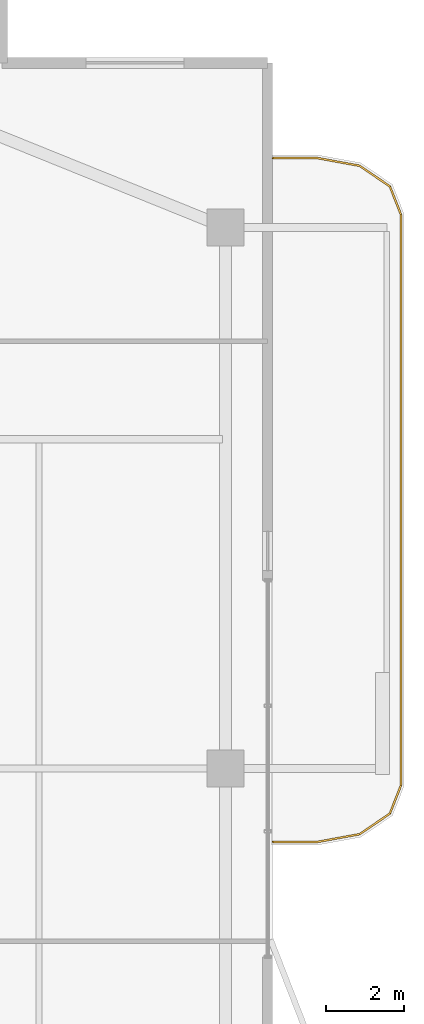
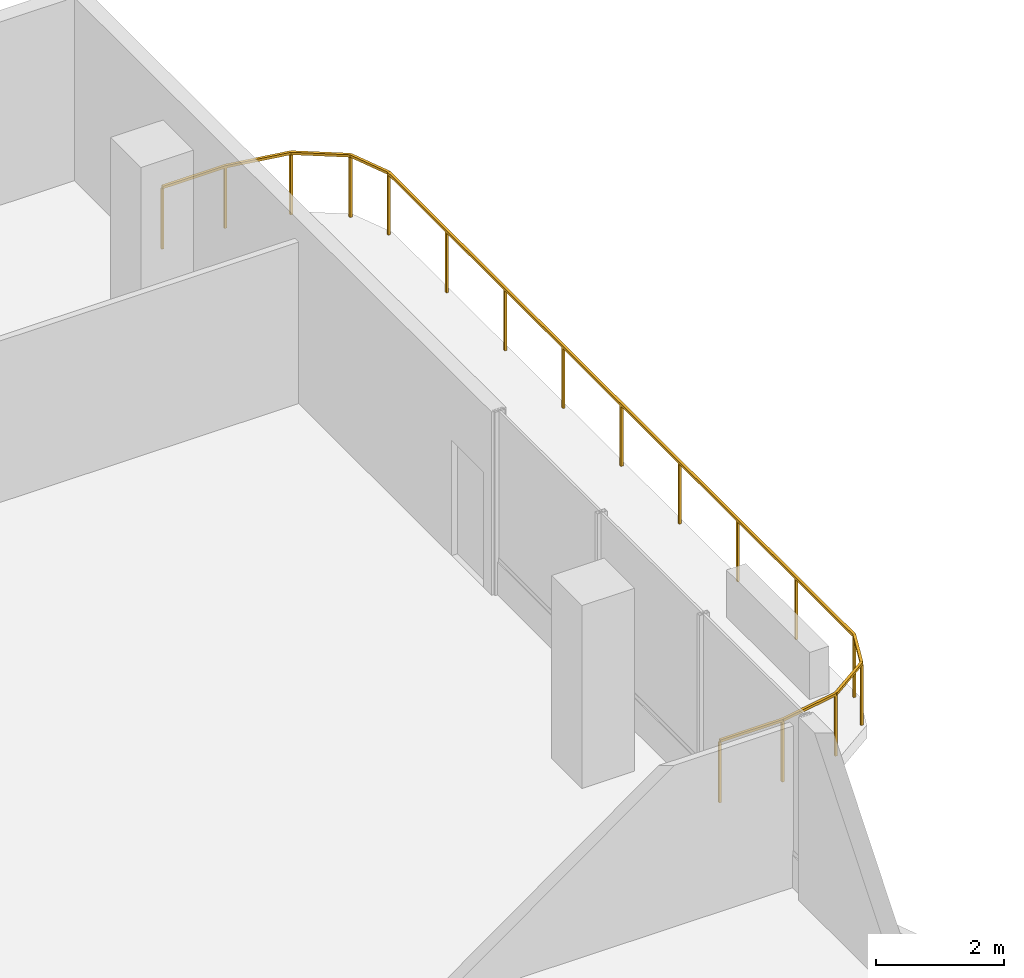
# One storey, part 24 of 24: 1 railing.
"""IFC4 building model written with IfcOpenShell, lengths in metres."""

from ifc_helpers import new_model, si_unit, direction, frame, origin, origin_2d, place, context, subcontext, project, spatial, rectangle, extrude, material, type_object, element, save


model = new_model("IFC4")

# Units and contexts
model_context = context("Model", 3, precision=1e-05, world=origin(), true_north=direction((0.0, 1.0)))
body_context = subcontext(model_context, "Body", "Model", "MODEL_VIEW")
ifc_project = project(units=[si_unit("LENGTHUNIT", "METRE"), si_unit("AREAUNIT", "SQUARE_METRE"), si_unit("VOLUMEUNIT", "CUBIC_METRE"), si_unit("PLANEANGLEUNIT", "RADIAN"), si_unit("MASSUNIT", "GRAM", prefix="KILO")], contexts=[model_context])

# Site, building, storey
site_placement = place(None, origin())
site = spatial("IfcSite", under=ifc_project, at=site_placement, CompositionType="ELEMENT")
building_placement = place(site_placement, origin())
building = spatial("IfcBuilding", under=site, at=building_placement, Name="Belovzor Exchange Tower", CompositionType="ELEMENT")
storey_placement = place(building_placement, frame((0.0, 0.0, 261.60009765625)))
storey = spatial("IfcBuildingStorey", under=building, at=storey_placement, Name="L65", CompositionType="ELEMENT", Elevation=261.60009765625)

# Railing
ifc_material = material(Name="Stainless Steel and Laminated Safety Glass", Category="steel")
railing_type = type_object("IfcRailingType", Name="Laminated Glass & Stainless Steel Balcony Balustrade 1200", PredefinedType="BALUSTRADE", material=ifc_material)
railing_placement = place(storey_placement, frame((53.7099609375, 26.929931640625, 0.0)))
element("IfcRailing", 1, at=railing_placement, inside=storey, type_object=railing_type, Name="GR-1 Balcony Balustrade L65 East", PredefinedType="BALUSTRADE", context=body_context, shape_type="SweptSolid", body=[
    extrude(rectangle(XDim=0.048095703125, YDim=0.048095703125, at=origin_2d()), frame((0.0, 0.0, 1.17578125), z_axis=(1.0, 0.0, 0.0), x_axis=(0.0, 1.0, 0.0)), (0.0, 0.0, 1.0), 1.133056640625),
    extrude(rectangle(XDim=0.048095703125, YDim=0.048095703125, at=origin_2d()), frame((1.133056640625, 0.0, 1.17578125), z_axis=(0.983644145941, 0.180122719713, 0.0), x_axis=(-0.180122719713, 0.983644145941, 0.0)), (0.0, 0.0, 1.0), 1.09375),
    extrude(rectangle(XDim=0.048095703125, YDim=0.048095703125, at=origin_2d()), frame((2.208984375, 0.197021484375, 1.17578125), z_axis=(0.826493025367, 0.56294695933, 0.0), x_axis=(-0.56294695933, 0.826493025367, 0.0)), (0.0, 0.0, 1.0), 0.932861328125),
    extrude(rectangle(XDim=0.048095703125, YDim=0.048095703125, at=origin_2d()), frame((2.97998046875, 0.72216796875, 1.17578125), z_axis=(0.365612923861, 0.930766990125, 0.0), x_axis=(-0.930766990125, 0.365612923861, 0.0)), (0.0, 0.0, 1.0), 0.765869140625),
    extrude(rectangle(XDim=0.048095703125, YDim=0.048095703125, at=origin_2d()), frame((3.260009765625, 1.43505859375, 1.17578125), z_axis=(0.0, 1.0, 0.0), x_axis=(-1.0, 0.0, 0.0)), (0.0, 0.0, 1.0), 14.570068359375),
    extrude(rectangle(XDim=0.048095703125, YDim=0.048095703125, at=origin_2d()), frame((3.260009765625, 16.005126953125, 1.17578125), z_axis=(-0.365612923861, 0.930766990125, 0.0), x_axis=(-0.930766990125, -0.365612923861, 0.0)), (0.0, 0.0, 1.0), 0.765869140625),
    extrude(rectangle(XDim=0.048095703125, YDim=0.048095703125, at=origin_2d()), frame((2.97998046875, 16.718017578125, 1.17578125), z_axis=(-0.826493025367, 0.56294695933, 0.0), x_axis=(-0.56294695933, -0.826493025367, 0.0)), (0.0, 0.0, 1.0), 0.932861328125),
    extrude(rectangle(XDim=0.048095703125, YDim=0.048095703125, at=origin_2d()), frame((2.208984375, 17.2431640625, 1.17578125), z_axis=(-0.983644145941, 0.180122719713, 0.0), x_axis=(-0.180122719713, -0.983644145941, 0.0)), (0.0, 0.0, 1.0), 1.09375),
    extrude(rectangle(XDim=0.048095703125, YDim=0.048095703125, at=origin_2d()), frame((1.133056640625, 17.440185546875, 1.17578125), z_axis=(-1.0, 0.0, 0.0), x_axis=(0.0, -1.0, 0.0)), (0.0, 0.0, 1.0), 1.133056640625),
    extrude(rectangle(XDim=0.0419921875, YDim=0.0419921875, at=origin_2d()), origin(), (0.0, 0.0, 1.0), 1.15185546875),
    extrude(rectangle(XDim=0.0419921875, YDim=0.0419921875, at=origin_2d()), frame((1.133056640625, 0.0, 0.0)), (0.0, 0.0, 1.0), 1.15185546875),
    extrude(rectangle(XDim=0.0419921875, YDim=0.0419921875, at=origin_2d()), frame((2.208984375, 0.197021484375, 0.0)), (0.0, 0.0, 1.0), 1.15185546875),
    extrude(rectangle(XDim=0.0419921875, YDim=0.0419921875, at=origin_2d()), frame((2.97998046875, 0.72216796875, 0.0)), (0.0, 0.0, 1.0), 1.15185546875),
    extrude(rectangle(XDim=0.0419921875, YDim=0.0419921875, at=origin_2d()), frame((3.260009765625, 1.43505859375, 0.0)), (0.0, 0.0, 1.0), 1.15185546875),
    extrude(rectangle(XDim=0.0419921875, YDim=0.0419921875, at=origin_2d()), frame((3.260009765625, 3.25634765625, 0.0)), (0.0, 0.0, 1.0), 1.15185546875),
    extrude(rectangle(XDim=0.0419921875, YDim=0.0419921875, at=origin_2d()), frame((3.260009765625, 5.07763671875, 0.0)), (0.0, 0.0, 1.0), 1.15185546875),
    extrude(rectangle(XDim=0.0419921875, YDim=0.0419921875, at=origin_2d()), frame((3.260009765625, 6.89892578125, 0.0)), (0.0, 0.0, 1.0), 1.15185546875),
    extrude(rectangle(XDim=0.0419921875, YDim=0.0419921875, at=origin_2d()), frame((3.260009765625, 8.72021484375, 0.0)), (0.0, 0.0, 1.0), 1.15185546875),
    extrude(rectangle(XDim=0.0419921875, YDim=0.0419921875, at=origin_2d()), frame((3.260009765625, 10.541259765625, 0.0)), (0.0, 0.0, 1.0), 1.15185546875),
    extrude(rectangle(XDim=0.0419921875, YDim=0.0419921875, at=origin_2d()), frame((3.260009765625, 12.362548828125, 0.0)), (0.0, 0.0, 1.0), 1.15185546875),
    extrude(rectangle(XDim=0.0419921875, YDim=0.0419921875, at=origin_2d()), frame((3.260009765625, 14.183837890625, 0.0)), (0.0, 0.0, 1.0), 1.15185546875),
    extrude(rectangle(XDim=0.0419921875, YDim=0.0419921875, at=origin_2d()), frame((3.260009765625, 16.005126953125, 0.0)), (0.0, 0.0, 1.0), 1.15185546875),
    extrude(rectangle(XDim=0.0419921875, YDim=0.0419921875, at=origin_2d()), frame((2.97998046875, 16.718017578125, 0.0)), (0.0, 0.0, 1.0), 1.15185546875),
    extrude(rectangle(XDim=0.0419921875, YDim=0.0419921875, at=origin_2d()), frame((2.208984375, 17.2431640625, 0.0)), (0.0, 0.0, 1.0), 1.15185546875),
    extrude(rectangle(XDim=0.0419921875, YDim=0.0419921875, at=origin_2d()), frame((1.133056640625, 17.440185546875, 0.0)), (0.0, 0.0, 1.0), 1.15185546875),
    extrude(rectangle(XDim=0.0419921875, YDim=0.0419921875, at=origin_2d()), frame((0.0, 17.440185546875, 0.0)), (0.0, 0.0, 1.0), 1.15185546875),
])

save(model, "model.ifc")
